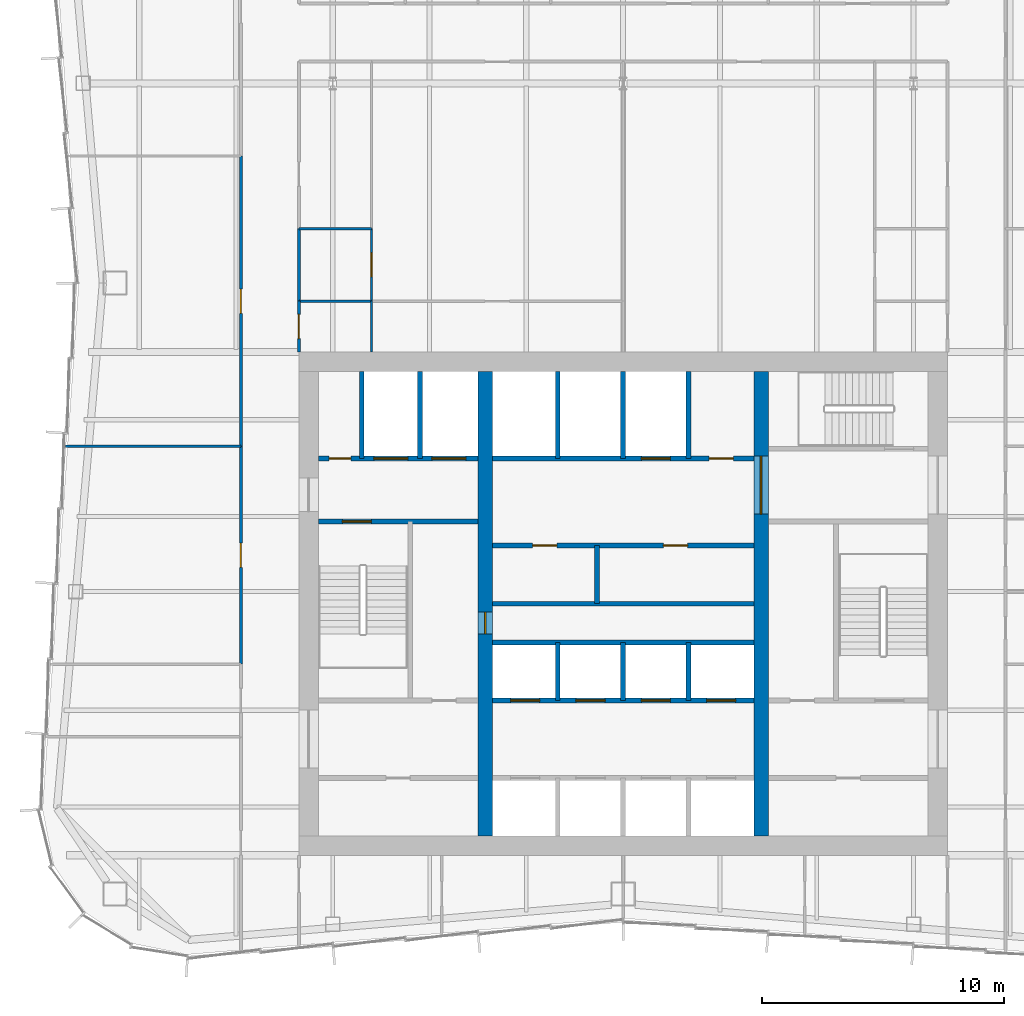
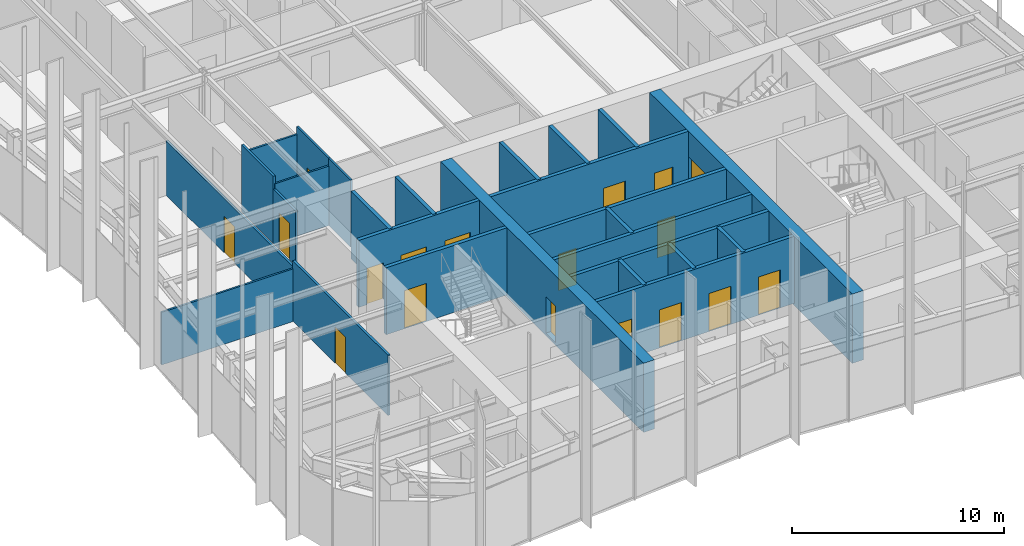
# One storey, part 11 of 15: 27 walls, 18 doors, 18 openings.
"""IFC4 building model written with IfcOpenShell, lengths in metres."""

from ifc_helpers import new_model, si_unit, direction, frame, frame_2d, origin, place, context, subcontext, project, spatial, rectangle, extrude, material, layer, layer_set, type_object, element, fill, save


model = new_model("IFC4")

# Units and contexts
model_context = context("Model", 3, precision=1e-05, world=origin(), true_north=direction((0.0, 1.0)))
body_context = subcontext(model_context, "Body", "Model", "MODEL_VIEW")
ifc_project = project(units=[si_unit("LENGTHUNIT", "METRE"), si_unit("AREAUNIT", "SQUARE_METRE"), si_unit("VOLUMEUNIT", "CUBIC_METRE"), si_unit("PLANEANGLEUNIT", "RADIAN"), si_unit("MASSUNIT", "GRAM", prefix="KILO")], contexts=[model_context])

# Site, building, storey
site_placement = place(None, origin())
site = spatial("IfcSite", under=ifc_project, at=site_placement, CompositionType="ELEMENT")
building_placement = place(site_placement, origin())
building = spatial("IfcBuilding", under=site, at=building_placement, Name="Verdant Reach Tower", CompositionType="ELEMENT")
storey_placement = place(building_placement, frame((0.0, 0.0, 238.0)))
storey = spatial("IfcBuildingStorey", under=building, at=storey_placement, Name="L54", CompositionType="ELEMENT", Elevation=238.0)

# Wall
ifc_material_1 = material(Name="Gypsum board on steel studs", Category="steel")
ifc_layer_1 = layer(ifc_material_1, 0.199951171875)
ifc_layer_set_1 = layer_set([ifc_layer_1], Name="CO-WALL-ROOM")
wall_type_1 = type_object("IfcWallType", Name="CO-WALL-ROOM", PredefinedType="PARTITIONING", material=ifc_layer_set_1)
wall_1_placement = place(storey_placement, frame((-5.39990234375, 28.0, 0.0), z_axis=(0.0, 0.0, 1.0), x_axis=(1.0, 0.0, 0.0)))
element("IfcWall", 1, at=wall_1_placement, inside=storey, type_object=wall_type_1, Name="Core partition, L54", PredefinedType="PARTITIONING", context=body_context, shape_type="SweptSolid", body=[
    extrude(rectangle(XDim=10.7998046875, YDim=0.199951171875, at=frame_2d((5.39990234375, 0.0))), origin(), (0.0, 0.0, 1.0), 3.8701171875),
])

# Wall, openings, doors
wall_2_placement = place(storey_placement, frame((-5.39990234375, 30.39990234375, 0.0), z_axis=(0.0, 0.0, 1.0), x_axis=(1.0, 0.0, 0.0)))
wall_2 = element("IfcWall", 2, at=wall_2_placement, inside=storey, type_object=wall_type_1, Name="Core partition, L54", PredefinedType="PARTITIONING", context=body_context, shape_type="SweptSolid", body=[
    extrude(rectangle(XDim=10.7998046875, YDim=0.199951171875, at=frame_2d((5.39990234375, 0.0))), origin(), (0.0, 0.0, 1.0), 3.8701171875),
])
opening_1_placement = place(wall_2_placement, frame((1.659912109375, 0.0, 0.0)))
opening_1 = element("IfcOpeningElement", 3, at=opening_1_placement, cuts=wall_2, Name="Opening CD", PredefinedType="OPENING", context=body_context, shape_type="SweptSolid", body=[
    extrude(rectangle(XDim=1.0, YDim=2.10009765625, at=frame_2d((0.5, 1.050048828125))), frame((0.0, 0.10986328125, 0.0), z_axis=(0.0, -1.0, 0.0), x_axis=(1.0, 0.0, 0.0)), (0.0, 0.0, 1.0), 0.219970703125),
])
opening_2_placement = place(wall_2_placement, frame((7.06005859375, 0.0, 0.0)))
opening_2 = element("IfcOpeningElement", 4, at=opening_2_placement, cuts=wall_2, Name="Opening CD", PredefinedType="OPENING", context=body_context, shape_type="SweptSolid", body=[
    extrude(rectangle(XDim=1.0, YDim=2.10009765625, at=frame_2d((0.5, 1.050048828125))), frame((0.0, 0.10986328125, 0.0), z_axis=(0.0, -1.0, 0.0), x_axis=(1.0, 0.0, 0.0)), (0.0, 0.0, 1.0), 0.219970703125),
])
ifc_material_2 = material(Name="Timber", Category="wood")
door_type_1 = type_object("IfcDoorType", Name="CO-DOOR-ROOM", OperationType="NOTDEFINED", PredefinedType="DOOR", material=ifc_material_2)
door_1_placement = place(opening_1_placement, origin())
door_1 = element("IfcDoor", 5, at=door_1_placement, inside=storey, type_object=door_type_1, Name="Core room door, L54", OperationType="SINGLE_SWING_RIGHT", OverallHeight=2.10009765625, OverallWidth=1.0, PredefinedType="DOOR", context=body_context, shape_type="SweptSolid", body=[
    extrude(rectangle(XDim=1.0, YDim=2.10009765625, at=frame_2d((0.5, 1.050048828125))), frame((0.0, 0.02490234375, 0.0), z_axis=(0.0, -1.0, 0.0), x_axis=(1.0, 0.0, 0.0)), (0.0, 0.0, 1.0), 0.050048828125),
])
fill(opening_1, door_1)
door_2_placement = place(opening_2_placement, origin())
door_2 = element("IfcDoor", 6, at=door_2_placement, inside=storey, type_object=door_type_1, Name="Core room door, L54", OperationType="SINGLE_SWING_LEFT", OverallHeight=2.10009765625, OverallWidth=1.0, PredefinedType="DOOR", context=body_context, shape_type="SweptSolid", body=[
    extrude(rectangle(XDim=1.0, YDim=2.10009765625, at=frame_2d((0.5, 1.050048828125))), frame((0.0, 0.02490234375, 0.0), z_axis=(0.0, -1.0, 0.0), x_axis=(1.0, 0.0, 0.0)), (0.0, 0.0, 1.0), 0.050048828125),
])
fill(opening_2, door_2)

# Wall
wall_3_placement = place(storey_placement, frame((-1.080078125, 28.0, 0.0), z_axis=(0.0, 0.0, 1.0), x_axis=(0.0, 1.0, 0.0)))
element("IfcWall", 7, at=wall_3_placement, inside=storey, type_object=wall_type_1, Name="Core partition, L54", PredefinedType="PARTITIONING", context=body_context, shape_type="SweptSolid", body=[
    extrude(rectangle(XDim=2.39990234375, YDim=0.199951171875, at=frame_2d((1.199951171875, 0.0))), origin(), (0.0, 0.0, 1.0), 3.8701171875),
])

# Wall, openings, doors
ifc_material_3 = material(Name="Concrete C40/50", Category="concrete")
ifc_layer_2 = layer(ifc_material_3, 0.199951171875)
ifc_layer_set_2 = layer_set([ifc_layer_2], Name="CO-WALL-SHAFT")
wall_type_2 = type_object("IfcWallType", Name="CO-WALL-SHAFT", PredefinedType="PARTITIONING", material=ifc_layer_set_2)
wall_4_placement = place(storey_placement, frame((-5.39990234375, 24.0, 0.0), z_axis=(0.0, 0.0, 1.0), x_axis=(1.0, 0.0, 0.0)))
wall_4 = element("IfcWall", 8, at=wall_4_placement, inside=storey, type_object=wall_type_2, Name="Lift shaft wall, L54", PredefinedType="PARTITIONING", context=body_context, shape_type="SweptSolid", body=[
    extrude(rectangle(XDim=10.7998046875, YDim=0.199951171875, at=frame_2d((5.39990234375, 0.0))), origin(), (0.0, 0.0, 1.0), 3.8701171875),
])
opening_3_placement = place(wall_4_placement, frame((0.75, 0.0, 0.0)))
opening_3 = element("IfcOpeningElement", 9, at=opening_3_placement, cuts=wall_4, Name="Opening LD-A5", PredefinedType="OPENING", context=body_context, shape_type="SweptSolid", body=[
    extrude(rectangle(XDim=1.199951171875, YDim=2.199951171875, at=frame_2d((0.60009765625, 1.10009765625))), frame((0.0, 0.10986328125, 0.0), z_axis=(0.0, -1.0, 0.0), x_axis=(1.0, 0.0, 0.0)), (0.0, 0.0, 1.0), 0.219970703125),
])
opening_4_placement = place(wall_4_placement, frame((3.449951171875, 0.0, 0.0)))
opening_4 = element("IfcOpeningElement", 10, at=opening_4_placement, cuts=wall_4, Name="Opening LD-A6", PredefinedType="OPENING", context=body_context, shape_type="SweptSolid", body=[
    extrude(rectangle(XDim=1.199951171875, YDim=2.199951171875, at=frame_2d((0.60009765625, 1.10009765625))), frame((0.0, 0.10986328125, 0.0), z_axis=(0.0, -1.0, 0.0), x_axis=(1.0, 0.0, 0.0)), (0.0, 0.0, 1.0), 0.219970703125),
])
opening_5_placement = place(wall_4_placement, frame((6.14990234375, 0.0, 0.0)))
opening_5 = element("IfcOpeningElement", 11, at=opening_5_placement, cuts=wall_4, Name="Opening LD-A7", PredefinedType="OPENING", context=body_context, shape_type="SweptSolid", body=[
    extrude(rectangle(XDim=1.199951171875, YDim=2.199951171875, at=frame_2d((0.60009765625, 1.10009765625))), frame((0.0, 0.10986328125, 0.0), z_axis=(0.0, -1.0, 0.0), x_axis=(1.0, 0.0, 0.0)), (0.0, 0.0, 1.0), 0.219970703125),
])
opening_6_placement = place(wall_4_placement, frame((8.85009765625, 0.0, 0.0)))
opening_6 = element("IfcOpeningElement", 12, at=opening_6_placement, cuts=wall_4, Name="Opening LD-A8", PredefinedType="OPENING", context=body_context, shape_type="SweptSolid", body=[
    extrude(rectangle(XDim=1.199951171875, YDim=2.199951171875, at=frame_2d((0.60009765625, 1.10009765625))), frame((0.0, 0.10986328125, 0.0), z_axis=(0.0, -1.0, 0.0), x_axis=(1.0, 0.0, 0.0)), (0.0, 0.0, 1.0), 0.219970703125),
])
ifc_material_4 = material(Name="Stainless steel", Category="steel")
door_type_2 = type_object("IfcDoorType", Name="CO-DOOR-LANDING", OperationType="SLIDING_TO_LEFT", PredefinedType="DOOR", material=ifc_material_4)
door_3_placement = place(opening_3_placement, origin())
door_3 = element("IfcDoor", 13, at=door_3_placement, inside=storey, type_object=door_type_2, Name="Landing door A5, L54", OperationType="SLIDING_TO_LEFT", OverallHeight=2.199951171875, OverallWidth=1.199951171875, PredefinedType="DOOR", context=body_context, shape_type="SweptSolid", body=[
    extrude(rectangle(XDim=1.199951171875, YDim=2.199951171875, at=frame_2d((0.60009765625, 1.10009765625))), frame((0.0, 0.02490234375, 0.0), z_axis=(0.0, -1.0, 0.0), x_axis=(1.0, 0.0, 0.0)), (0.0, 0.0, 1.0), 0.050048828125),
])
fill(opening_3, door_3)
door_4_placement = place(opening_4_placement, origin())
door_4 = element("IfcDoor", 14, at=door_4_placement, inside=storey, type_object=door_type_2, Name="Landing door A6, L54", OperationType="SLIDING_TO_LEFT", OverallHeight=2.199951171875, OverallWidth=1.199951171875, PredefinedType="DOOR", context=body_context, shape_type="SweptSolid", body=[
    extrude(rectangle(XDim=1.199951171875, YDim=2.199951171875, at=frame_2d((0.60009765625, 1.10009765625))), frame((0.0, 0.02490234375, 0.0), z_axis=(0.0, -1.0, 0.0), x_axis=(1.0, 0.0, 0.0)), (0.0, 0.0, 1.0), 0.050048828125),
])
fill(opening_4, door_4)
door_5_placement = place(opening_5_placement, origin())
door_5 = element("IfcDoor", 15, at=door_5_placement, inside=storey, type_object=door_type_2, Name="Landing door A7, L54", OperationType="SLIDING_TO_LEFT", OverallHeight=2.199951171875, OverallWidth=1.199951171875, PredefinedType="DOOR", context=body_context, shape_type="SweptSolid", body=[
    extrude(rectangle(XDim=1.199951171875, YDim=2.199951171875, at=frame_2d((0.60009765625, 1.10009765625))), frame((0.0, 0.02490234375, 0.0), z_axis=(0.0, -1.0, 0.0), x_axis=(1.0, 0.0, 0.0)), (0.0, 0.0, 1.0), 0.050048828125),
])
fill(opening_5, door_5)
door_6_placement = place(opening_6_placement, origin())
door_6 = element("IfcDoor", 16, at=door_6_placement, inside=storey, type_object=door_type_2, Name="Landing door A8, L54", OperationType="SLIDING_TO_LEFT", OverallHeight=2.199951171875, OverallWidth=1.199951171875, PredefinedType="DOOR", context=body_context, shape_type="SweptSolid", body=[
    extrude(rectangle(XDim=1.199951171875, YDim=2.199951171875, at=frame_2d((0.60009765625, 1.10009765625))), frame((0.0, 0.02490234375, 0.0), z_axis=(0.0, -1.0, 0.0), x_axis=(1.0, 0.0, 0.0)), (0.0, 0.0, 1.0), 0.050048828125),
])
fill(opening_6, door_6)

# Wall
wall_5_placement = place(storey_placement, frame((-5.39990234375, 26.39990234375, 0.0), z_axis=(0.0, 0.0, 1.0), x_axis=(1.0, 0.0, 0.0)))
element("IfcWall", 17, at=wall_5_placement, inside=storey, type_object=wall_type_2, Name="Lift shaft wall, L54", PredefinedType="PARTITIONING", context=body_context, shape_type="SweptSolid", body=[
    extrude(rectangle(XDim=10.7998046875, YDim=0.199951171875, at=frame_2d((5.39990234375, 0.0))), origin(), (0.0, 0.0, 1.0), 3.8701171875),
])

# Wall, openings, doors
wall_6_placement = place(storey_placement, frame((-12.60009765625, 34.0, 0.0), z_axis=(0.0, 0.0, 1.0), x_axis=(1.0, 0.0, 0.0)))
wall_6 = element("IfcWall", 18, at=wall_6_placement, inside=storey, type_object=wall_type_2, Name="Lift shaft wall, L54", PredefinedType="PARTITIONING", context=body_context, shape_type="SweptSolid", body=[
    extrude(rectangle(XDim=6.60009765625, YDim=0.199951171875, at=frame_2d((3.300048828125, 0.0))), origin(), (0.0, 0.0, 1.0), 3.8701171875),
])
opening_7_placement = place(wall_6_placement, frame((4.699951171875, 0.0, 0.0)))
opening_7 = element("IfcOpeningElement", 19, at=opening_7_placement, cuts=wall_6, Name="Opening LD-F1", PredefinedType="OPENING", context=body_context, shape_type="SweptSolid", body=[
    extrude(rectangle(XDim=1.39990234375, YDim=2.199951171875, at=frame_2d((0.699951171875, 1.10009765625))), frame((0.0, 0.10986328125, 0.0), z_axis=(0.0, -1.0, 0.0), x_axis=(1.0, 0.0, 0.0)), (0.0, 0.0, 1.0), 0.219970703125),
])
opening_8_placement = place(wall_6_placement, frame((2.300048828125, 0.0, 0.0)))
opening_8 = element("IfcOpeningElement", 20, at=opening_8_placement, cuts=wall_6, Name="Opening LD-F2", PredefinedType="OPENING", context=body_context, shape_type="SweptSolid", body=[
    extrude(rectangle(XDim=1.39990234375, YDim=2.199951171875, at=frame_2d((0.699951171875, 1.10009765625))), frame((0.0, 0.10986328125, 0.0), z_axis=(0.0, -1.0, 0.0), x_axis=(1.0, 0.0, 0.0)), (0.0, 0.0, 1.0), 0.219970703125),
])
opening_9_placement = place(wall_6_placement, frame((0.449951171875, 0.0, 0.0)))
opening_9 = element("IfcOpeningElement", 21, at=opening_9_placement, cuts=wall_6, Name="Opening RD", PredefinedType="OPENING", context=body_context, shape_type="SweptSolid", body=[
    extrude(rectangle(XDim=0.89990234375, YDim=2.10009765625, at=frame_2d((0.449951171875, 1.050048828125))), frame((0.0, 0.10986328125, 0.0), z_axis=(0.0, -1.0, 0.0), x_axis=(1.0, 0.0, 0.0)), (0.0, 0.0, 1.0), 0.219970703125),
])
door_type_3 = type_object("IfcDoorType", Name="CO-DOOR-LANDING-FF", OperationType="SLIDING_TO_LEFT", PredefinedType="DOOR", material=ifc_material_4)
door_7_placement = place(opening_7_placement, origin())
door_7 = element("IfcDoor", 22, at=door_7_placement, inside=storey, type_object=door_type_3, Name="Landing door F1, L54", OperationType="SLIDING_TO_LEFT", OverallHeight=2.199951171875, OverallWidth=1.39990234375, PredefinedType="DOOR", context=body_context, shape_type="SweptSolid", body=[
    extrude(rectangle(XDim=1.39990234375, YDim=2.199951171875, at=frame_2d((0.699951171875, 1.10009765625))), frame((0.0, 0.02490234375, 0.0), z_axis=(0.0, -1.0, 0.0), x_axis=(1.0, 0.0, 0.0)), (0.0, 0.0, 1.0), 0.050048828125),
])
fill(opening_7, door_7)
door_8_placement = place(opening_8_placement, origin())
door_8 = element("IfcDoor", 23, at=door_8_placement, inside=storey, type_object=door_type_3, Name="Landing door F2, L54", OperationType="SLIDING_TO_LEFT", OverallHeight=2.199951171875, OverallWidth=1.39990234375, PredefinedType="DOOR", context=body_context, shape_type="SweptSolid", body=[
    extrude(rectangle(XDim=1.39990234375, YDim=2.199951171875, at=frame_2d((0.699951171875, 1.10009765625))), frame((0.0, 0.02490234375, 0.0), z_axis=(0.0, -1.0, 0.0), x_axis=(1.0, 0.0, 0.0)), (0.0, 0.0, 1.0), 0.050048828125),
])
fill(opening_8, door_8)
ifc_material_5 = material(Name="Steel", Category="steel")
door_type_4 = type_object("IfcDoorType", Name="CO-DOOR-RISER", OperationType="NOTDEFINED", PredefinedType="DOOR", material=ifc_material_5)
door_9_placement = place(opening_9_placement, origin())
door_9 = element("IfcDoor", 24, at=door_9_placement, inside=storey, type_object=door_type_4, Name="Core room door, L54", OperationType="SINGLE_SWING_RIGHT", OverallHeight=2.10009765625, OverallWidth=0.89990234375, PredefinedType="DOOR", context=body_context, shape_type="SweptSolid", body=[
    extrude(rectangle(XDim=0.89990234375, YDim=2.10009765625, at=frame_2d((0.449951171875, 1.050048828125))), frame((0.0, 0.02490234375, 0.0), z_axis=(0.0, -1.0, 0.0), x_axis=(1.0, 0.0, 0.0)), (0.0, 0.0, 1.0), 0.050048828125),
])
fill(opening_9, door_9)

wall_7_placement = place(storey_placement, frame((-5.39990234375, 34.0, 0.0), z_axis=(0.0, 0.0, 1.0), x_axis=(1.0, 0.0, 0.0)))
wall_7 = element("IfcWall", 25, at=wall_7_placement, inside=storey, type_object=wall_type_2, Name="Lift shaft wall, L54", PredefinedType="PARTITIONING", context=body_context, shape_type="SweptSolid", body=[
    extrude(rectangle(XDim=10.7998046875, YDim=0.199951171875, at=frame_2d((5.39990234375, 0.0))), origin(), (0.0, 0.0, 1.0), 3.8701171875),
])
opening_10_placement = place(wall_7_placement, frame((6.14990234375, 0.0, 0.0)))
opening_10 = element("IfcOpeningElement", 26, at=opening_10_placement, cuts=wall_7, Name="Opening LD-SL1", PredefinedType="OPENING", context=body_context, shape_type="SweptSolid", body=[
    extrude(rectangle(XDim=1.199951171875, YDim=2.199951171875, at=frame_2d((0.60009765625, 1.10009765625))), frame((0.0, 0.10986328125, 0.0), z_axis=(0.0, -1.0, 0.0), x_axis=(1.0, 0.0, 0.0)), (0.0, 0.0, 1.0), 0.219970703125),
])
opening_11_placement = place(wall_7_placement, frame((8.949951171875, 0.0, 0.0)))
opening_11 = element("IfcOpeningElement", 27, at=opening_11_placement, cuts=wall_7, Name="Opening CD", PredefinedType="OPENING", context=body_context, shape_type="SweptSolid", body=[
    extrude(rectangle(XDim=1.0, YDim=2.10009765625, at=frame_2d((0.5, 1.050048828125))), frame((0.0, 0.10986328125, 0.0), z_axis=(0.0, -1.0, 0.0), x_axis=(1.0, 0.0, 0.0)), (0.0, 0.0, 1.0), 0.219970703125),
])
door_10_placement = place(opening_10_placement, origin())
door_10 = element("IfcDoor", 28, at=door_10_placement, inside=storey, type_object=door_type_2, Name="Landing door SL1, L54", OperationType="SLIDING_TO_LEFT", OverallHeight=2.199951171875, OverallWidth=1.199951171875, PredefinedType="DOOR", context=body_context, shape_type="SweptSolid", body=[
    extrude(rectangle(XDim=1.199951171875, YDim=2.199951171875, at=frame_2d((0.60009765625, 1.10009765625))), frame((0.0, 0.02490234375, 0.0), z_axis=(0.0, -1.0, 0.0), x_axis=(1.0, 0.0, 0.0)), (0.0, 0.0, 1.0), 0.050048828125),
])
fill(opening_10, door_10)
door_11_placement = place(opening_11_placement, origin())
door_11 = element("IfcDoor", 29, at=door_11_placement, inside=storey, type_object=door_type_1, Name="Core room door, L54", OperationType="SINGLE_SWING_LEFT", OverallHeight=2.10009765625, OverallWidth=1.0, PredefinedType="DOOR", context=body_context, shape_type="SweptSolid", body=[
    extrude(rectangle(XDim=1.0, YDim=2.10009765625, at=frame_2d((0.5, 1.050048828125))), frame((0.0, 0.02490234375, 0.0), z_axis=(0.0, -1.0, 0.0), x_axis=(1.0, 0.0, 0.0)), (0.0, 0.0, 1.0), 0.050048828125),
])
fill(opening_11, door_11)

# Walls
for number, where, z_axis, x_axis, name in (
    (30, (-10.800048828125, 34.0, 0.0), (0.0, 0.0, 1.0), (0.0, 1.0, 0.0), "Lift shaft wall, L54"),
    (31, (-8.39990234375, 34.0, 0.0), (0.0, 0.0, 1.0), (0.0, 1.0, 0.0), "Lift shaft wall, L54"),
):
    element("IfcWall", number, at=place(storey_placement, frame(where, z_axis=z_axis, x_axis=x_axis)), inside=storey, type_object=wall_type_2, Name=name, PredefinedType="PARTITIONING", context=body_context, shape_type="SweptSolid", body=[
        extrude(rectangle(XDim=3.60009765625, YDim=0.199951171875, at=frame_2d((1.800048828125, 0.0))), origin(), (0.0, 0.0, 1.0), 3.8701171875),
    ])
wall_8_placement = place(storey_placement, frame((-2.699951171875, 24.0, 0.0), z_axis=(0.0, 0.0, 1.0), x_axis=(0.0, 1.0, 0.0)))
element("IfcWall", 32, at=wall_8_placement, inside=storey, type_object=wall_type_2, Name="Lift shaft wall, L54", PredefinedType="PARTITIONING", context=body_context, shape_type="SweptSolid", body=[
    extrude(rectangle(XDim=2.39990234375, YDim=0.199951171875, at=frame_2d((1.199951171875, 0.0))), origin(), (0.0, 0.0, 1.0), 3.8701171875),
])
wall_9_placement = place(storey_placement, frame((-2.699951171875, 34.0, 0.0), z_axis=(0.0, 0.0, 1.0), x_axis=(0.0, 1.0, 0.0)))
element("IfcWall", 33, at=wall_9_placement, inside=storey, type_object=wall_type_2, Name="Lift shaft wall, L54", PredefinedType="PARTITIONING", context=body_context, shape_type="SweptSolid", body=[
    extrude(rectangle(XDim=3.60009765625, YDim=0.199951171875, at=frame_2d((1.800048828125, 0.0))), origin(), (0.0, 0.0, 1.0), 3.8701171875),
])
wall_10_placement = place(storey_placement, frame((0.0, 24.0, 0.0), z_axis=(0.0, 0.0, 1.0), x_axis=(0.0, 1.0, 0.0)))
element("IfcWall", 34, at=wall_10_placement, inside=storey, type_object=wall_type_2, Name="Lift shaft wall, L54", PredefinedType="PARTITIONING", context=body_context, shape_type="SweptSolid", body=[
    extrude(rectangle(XDim=2.39990234375, YDim=0.199951171875, at=frame_2d((1.199951171875, 0.0))), origin(), (0.0, 0.0, 1.0), 3.8701171875),
])
wall_11_placement = place(storey_placement, frame((0.0, 34.0, 0.0), z_axis=(0.0, 0.0, 1.0), x_axis=(0.0, 1.0, 0.0)))
element("IfcWall", 35, at=wall_11_placement, inside=storey, type_object=wall_type_2, Name="Lift shaft wall, L54", PredefinedType="PARTITIONING", context=body_context, shape_type="SweptSolid", body=[
    extrude(rectangle(XDim=3.60009765625, YDim=0.199951171875, at=frame_2d((1.800048828125, 0.0))), origin(), (0.0, 0.0, 1.0), 3.8701171875),
])
wall_12_placement = place(storey_placement, frame((2.699951171875, 24.0, 0.0), z_axis=(0.0, 0.0, 1.0), x_axis=(0.0, 1.0, 0.0)))
element("IfcWall", 36, at=wall_12_placement, inside=storey, type_object=wall_type_2, Name="Lift shaft wall, L54", PredefinedType="PARTITIONING", context=body_context, shape_type="SweptSolid", body=[
    extrude(rectangle(XDim=2.39990234375, YDim=0.199951171875, at=frame_2d((1.199951171875, 0.0))), origin(), (0.0, 0.0, 1.0), 3.8701171875),
])
wall_13_placement = place(storey_placement, frame((2.699951171875, 34.0, 0.0), z_axis=(0.0, 0.0, 1.0), x_axis=(0.0, 1.0, 0.0)))
element("IfcWall", 37, at=wall_13_placement, inside=storey, type_object=wall_type_2, Name="Lift shaft wall, L54", PredefinedType="PARTITIONING", context=body_context, shape_type="SweptSolid", body=[
    extrude(rectangle(XDim=3.60009765625, YDim=0.199951171875, at=frame_2d((1.800048828125, 0.0))), origin(), (0.0, 0.0, 1.0), 3.8701171875),
])

# Wall, opening, door
ifc_layer_3 = layer(ifc_material_3, 0.199951171875)
ifc_layer_set_3 = layer_set([ifc_layer_3], Name="CO-WALL-STAIR")
wall_type_3 = type_object("IfcWallType", Name="CO-WALL-STAIR", PredefinedType="PARTITIONING", material=ifc_layer_set_3)
wall_14_placement = place(storey_placement, frame((-12.60009765625, 31.39990234375, 0.0), z_axis=(0.0, 0.0, 1.0), x_axis=(1.0, 0.0, 0.0)))
wall_14 = element("IfcWall", 38, at=wall_14_placement, inside=storey, type_object=wall_type_3, Name="Stair enclosure wall, L54", PredefinedType="PARTITIONING", context=body_context, shape_type="SweptSolid", body=[
    extrude(rectangle(XDim=6.60009765625, YDim=0.199951171875, at=frame_2d((3.300048828125, 0.0))), origin(), (0.0, 0.0, 1.0), 3.8701171875),
])
opening_12_placement = place(wall_14_placement, frame((1.0, 0.0, 0.0)))
opening_12 = element("IfcOpeningElement", 39, at=opening_12_placement, cuts=wall_14, Name="Opening SD", PredefinedType="OPENING", context=body_context, shape_type="SweptSolid", body=[
    extrude(rectangle(XDim=1.199951171875, YDim=2.199951171875, at=frame_2d((0.60009765625, 1.10009765625))), frame((0.0, 0.10986328125, 0.0), z_axis=(0.0, -1.0, 0.0), x_axis=(1.0, 0.0, 0.0)), (0.0, 0.0, 1.0), 0.219970703125),
])
door_type_5 = type_object("IfcDoorType", Name="CO-DOOR-STAIR", OperationType="NOTDEFINED", PredefinedType="DOOR", material=ifc_material_5)
door_12_placement = place(opening_12_placement, origin())
door_12 = element("IfcDoor", 40, at=door_12_placement, inside=storey, type_object=door_type_5, Name="Stair door, L54", OperationType="SINGLE_SWING_RIGHT", OverallHeight=2.199951171875, OverallWidth=1.199951171875, PredefinedType="DOOR", context=body_context, shape_type="SweptSolid", body=[
    extrude(rectangle(XDim=1.199951171875, YDim=2.199951171875, at=frame_2d((0.60009765625, 1.10009765625))), frame((0.0, 0.02490234375, 0.0), z_axis=(0.0, -1.0, 0.0), x_axis=(1.0, 0.0, 0.0)), (0.0, 0.0, 1.0), 0.050048828125),
])
fill(opening_12, door_12)

# Walls
ifc_layer_4 = layer(ifc_material_1, 0.10009765625)
ifc_layer_set_4 = layer_set([ifc_layer_4], Name="FL-W1 Partition 100")
wall_type_4 = type_object("IfcWallType", Name="FL-W1 Partition 100", PredefinedType="PARTITIONING", material=ifc_layer_set_4)
wall_15_placement = place(storey_placement, frame((-15.800048828125, 34.5, 0.0), z_axis=(0.0, 0.0, 1.0), x_axis=(-1.0, 0.0, 0.0)))
element("IfcWall", 41, at=wall_15_placement, inside=storey, type_object=wall_type_4, Name="Partition 54.40", PredefinedType="PARTITIONING", context=body_context, shape_type="SweptSolid", body=[
    extrude(rectangle(XDim=7.245361328125, YDim=0.10009765625, at=frame_2d((3.62255859375, 0.0))), origin(), (0.0, 0.0, 1.0), 3.0400390625),
])
wall_16_placement = place(storey_placement, frame((-10.39990234375, 40.5, 0.0), z_axis=(0.0, 0.0, 1.0), x_axis=(-1.0, 0.0, 0.0)))
element("IfcWall", 42, at=wall_16_placement, inside=storey, type_object=wall_type_4, Name="Partition 54.53", PredefinedType="PARTITIONING", context=body_context, shape_type="SweptSolid", body=[
    extrude(rectangle(XDim=3.0, YDim=0.10009765625, at=frame_2d((1.5, 0.0))), origin(), (0.0, 0.0, 1.0), 3.43994140625),
])
wall_17_placement = place(storey_placement, frame((-10.39990234375, 38.39990234375, 0.0), z_axis=(0.0, 0.0, 1.0), x_axis=(0.0, 1.0, 0.0)))
element("IfcWall", 43, at=wall_17_placement, inside=storey, type_object=wall_type_4, Name="Partition 54.54", PredefinedType="PARTITIONING", context=body_context, shape_type="SweptSolid", body=[
    extrude(rectangle(XDim=2.10009765625, YDim=0.10009765625, at=frame_2d((1.050048828125, 0.0))), origin(), (0.0, 0.0, 1.0), 3.8701171875),
])
wall_18_placement = place(storey_placement, frame((-10.39990234375, 43.5, 0.0), z_axis=(0.0, 0.0, 1.0), x_axis=(-1.0, 0.0, 0.0)))
element("IfcWall", 44, at=wall_18_placement, inside=storey, type_object=wall_type_4, Name="Partition 54.55", PredefinedType="PARTITIONING", context=body_context, shape_type="SweptSolid", body=[
    extrude(rectangle(XDim=3.0, YDim=0.10009765625, at=frame_2d((1.5, 0.0))), origin(), (0.0, 0.0, 1.0), 3.43994140625),
])

# Wall, opening, door
wall_19_placement = place(storey_placement, frame((-10.39990234375, 40.5, 0.0), z_axis=(0.0, 0.0, 1.0), x_axis=(0.0, 1.0, 0.0)))
wall_19 = element("IfcWall", 45, at=wall_19_placement, inside=storey, type_object=wall_type_4, Name="Partition 54.56", PredefinedType="PARTITIONING", context=body_context, shape_type="SweptSolid", body=[
    extrude(rectangle(XDim=3.00390625, YDim=0.10009765625, at=frame_2d((1.501953125, 0.0))), origin(), (0.0, 0.0, 1.0), 3.8701171875),
])
opening_13_placement = place(wall_19_placement, frame((1.001953125, 0.0, 0.0)))
opening_13 = element("IfcOpeningElement", 46, at=opening_13_placement, cuts=wall_19, Name="Opening D3", PredefinedType="OPENING", context=body_context, shape_type="SweptSolid", body=[
    extrude(rectangle(XDim=1.0, YDim=2.10009765625, at=frame_2d((0.5, 1.050048828125))), frame((0.0, 0.06005859375, 0.0), z_axis=(0.0, -1.0, 0.0), x_axis=(1.0, 0.0, 0.0)), (0.0, 0.0, 1.0), 0.1201171875),
])
ifc_material_6 = material(Name="Painted timber door leaf", Category="wood")
door_type_6 = type_object("IfcDoorType", Name="FL-D3 Door 1000x2100", OperationType="NOTDEFINED", PredefinedType="DOOR", material=ifc_material_6)
door_13_placement = place(opening_13_placement, origin())
door_13 = element("IfcDoor", 47, at=door_13_placement, inside=storey, type_object=door_type_6, Name="Door 54-031", OperationType="SINGLE_SWING_LEFT", OverallHeight=2.10009765625, OverallWidth=1.0, PredefinedType="DOOR", context=body_context, shape_type="SweptSolid", body=[
    extrude(rectangle(XDim=1.0, YDim=2.10009765625, at=frame_2d((0.5, 1.050048828125))), frame((0.0, 0.02490234375, 0.0), z_axis=(0.0, -1.0, 0.0), x_axis=(1.0, 0.0, 0.0)), (0.0, 0.0, 1.0), 0.050048828125),
])
fill(opening_13, door_13)

ifc_material_7 = material(Name="Gypsum board on steel studs, fire rated", Category="steel")
ifc_layer_5 = layer(ifc_material_7, 0.125)
ifc_layer_set_5 = layer_set([ifc_layer_5], Name="FL-W2 Corridor wall 125")
wall_type_5 = type_object("IfcWallType", Name="FL-W2 Corridor wall 125", PredefinedType="PARTITIONING", material=ifc_layer_set_5)
wall_20_placement = place(storey_placement, frame((-15.800048828125, 25.5, 0.0), z_axis=(0.0, 0.0, 1.0), x_axis=(0.0, 1.0, 0.0)))
wall_20 = element("IfcWall", 48, at=wall_20_placement, inside=storey, type_object=wall_type_5, Name="Partition 54.03", PredefinedType="PARTITIONING", context=body_context, shape_type="SweptSolid", body=[
    extrude(rectangle(XDim=9.0, YDim=0.125, at=frame_2d((4.5, 0.0))), origin(), (0.0, 0.0, 1.0), 3.47998046875),
])
opening_14_placement = place(wall_20_placement, frame((4.0, 0.0, 0.0)))
opening_14 = element("IfcOpeningElement", 49, at=opening_14_placement, cuts=wall_20, Name="Opening D2", PredefinedType="OPENING", context=body_context, shape_type="SweptSolid", body=[
    extrude(rectangle(XDim=1.0, YDim=2.10009765625, at=frame_2d((0.5, 1.050048828125))), frame((0.0, 0.072509765625, 0.0), z_axis=(0.0, -1.0, 0.0), x_axis=(1.0, 0.0, 0.0)), (0.0, 0.0, 1.0), 0.14501953125),
])
ifc_material_8 = material(Name="Timber door leaf, fire rated", Category="wood")
door_type_7 = type_object("IfcDoorType", Name="FL-D2 Entrance door 1000x2100 FD30", OperationType="NOTDEFINED", PredefinedType="DOOR", material=ifc_material_8)
door_14_placement = place(opening_14_placement, origin())
door_14 = element("IfcDoor", 50, at=door_14_placement, inside=storey, type_object=door_type_7, Name="Door 54-003", OperationType="SINGLE_SWING_LEFT", OverallHeight=2.10009765625, OverallWidth=1.0, PredefinedType="DOOR", context=body_context, shape_type="SweptSolid", body=[
    extrude(rectangle(XDim=1.0, YDim=2.10009765625, at=frame_2d((0.5, 1.050048828125))), frame((0.0, 0.02490234375, 0.0), z_axis=(0.0, -1.0, 0.0), x_axis=(1.0, 0.0, 0.0)), (0.0, 0.0, 1.0), 0.050048828125),
])
fill(opening_14, door_14)

wall_21_placement = place(storey_placement, frame((-15.800048828125, 34.5, 0.0), z_axis=(0.0, 0.0, 1.0), x_axis=(0.0, 1.0, 0.0)))
wall_21 = element("IfcWall", 51, at=wall_21_placement, inside=storey, type_object=wall_type_5, Name="Partition 54.04", PredefinedType="PARTITIONING", context=body_context, shape_type="SweptSolid", body=[
    extrude(rectangle(XDim=12.0, YDim=0.125, at=frame_2d((6.0, 0.0))), origin(), (0.0, 0.0, 1.0), 3.139892578125),
])
opening_15_placement = place(wall_21_placement, frame((5.5, 0.0, 0.0)))
opening_15 = element("IfcOpeningElement", 52, at=opening_15_placement, cuts=wall_21, Name="Opening D2", PredefinedType="OPENING", context=body_context, shape_type="SweptSolid", body=[
    extrude(rectangle(XDim=1.0, YDim=2.10009765625, at=frame_2d((0.5, 1.050048828125))), frame((0.0, 0.072509765625, 0.0), z_axis=(0.0, -1.0, 0.0), x_axis=(1.0, 0.0, 0.0)), (0.0, 0.0, 1.0), 0.14501953125),
])
door_15_placement = place(opening_15_placement, origin())
door_15 = element("IfcDoor", 53, at=door_15_placement, inside=storey, type_object=door_type_7, Name="Door 54-004", OperationType="SINGLE_SWING_RIGHT", OverallHeight=2.10009765625, OverallWidth=1.0, PredefinedType="DOOR", context=body_context, shape_type="SweptSolid", body=[
    extrude(rectangle(XDim=1.0, YDim=2.10009765625, at=frame_2d((0.5, 1.050048828125))), frame((0.0, 0.02490234375, 0.0), z_axis=(0.0, -1.0, 0.0), x_axis=(1.0, 0.0, 0.0)), (0.0, 0.0, 1.0), 0.050048828125),
])
fill(opening_15, door_15)

wall_22_placement = place(storey_placement, frame((-13.39990234375, 40.5, 0.0), z_axis=(0.0, 0.0, 1.0), x_axis=(0.0, -1.0, 0.0)))
wall_22 = element("IfcWall", 54, at=wall_22_placement, inside=storey, type_object=wall_type_5, Name="Partition 54.17", PredefinedType="PARTITIONING", context=body_context, shape_type="SweptSolid", body=[
    extrude(rectangle(XDim=2.10009765625, YDim=0.125, at=frame_2d((1.050048828125, 0.0))), origin(), (0.0, 0.0, 1.0), 3.139892578125),
])
opening_16_placement = place(wall_22_placement, frame((0.550048828125, 0.0, 0.0)))
opening_16 = element("IfcOpeningElement", 55, at=opening_16_placement, cuts=wall_22, Name="Opening D2", PredefinedType="OPENING", context=body_context, shape_type="SweptSolid", body=[
    extrude(rectangle(XDim=1.0, YDim=2.10009765625, at=frame_2d((0.5, 1.050048828125))), frame((0.0, 0.072509765625, 0.0), z_axis=(0.0, -1.0, 0.0), x_axis=(1.0, 0.0, 0.0)), (0.0, 0.0, 1.0), 0.14501953125),
])
door_16_placement = place(opening_16_placement, origin())
door_16 = element("IfcDoor", 56, at=door_16_placement, inside=storey, type_object=door_type_7, Name="Door 54-017", OperationType="SINGLE_SWING_LEFT", OverallHeight=2.10009765625, OverallWidth=1.0, PredefinedType="DOOR", context=body_context, shape_type="SweptSolid", body=[
    extrude(rectangle(XDim=1.0, YDim=2.10009765625, at=frame_2d((0.5, 1.050048828125))), frame((0.0, 0.02490234375, 0.0), z_axis=(0.0, -1.0, 0.0), x_axis=(1.0, 0.0, 0.0)), (0.0, 0.0, 1.0), 0.050048828125),
])
fill(opening_16, door_16)

# Wall
wall_23_placement = place(storey_placement, frame((-13.39990234375, 40.5, 0.0), z_axis=(0.0, 0.0, 1.0), x_axis=(0.0, 1.0, 0.0)))
element("IfcWall", 57, at=wall_23_placement, inside=storey, type_object=wall_type_5, Name="Partition 54.18", PredefinedType="PARTITIONING", context=body_context, shape_type="SweptSolid", body=[
    extrude(rectangle(XDim=3.0, YDim=0.125, at=frame_2d((1.5, 0.0))), origin(), (0.0, 0.0, 1.0), 3.8701171875),
])

# Wall, opening, door
ifc_material_9 = material(Name="Concrete C70/85", Category="concrete")
ifc_layer_6 = layer(ifc_material_9, 0.60009765625)
ifc_layer_set_6 = layer_set([ifc_layer_6], Name="ST-CORE-WALL-600")
wall_type_6 = type_object("IfcWallType", Name="ST-CORE-WALL-600", PredefinedType="SHEAR", material=ifc_layer_set_6)
wall_24_placement = place(storey_placement, frame((-5.699951171875, 18.39990234375, -0.1298828125), z_axis=(0.0, 0.0, 1.0), x_axis=(0.0, 1.0, 0.0)))
wall_24 = element("IfcWall", 58, at=wall_24_placement, inside=storey, type_object=wall_type_6, Name="Core wall XW, L54", PredefinedType="SHEAR", context=body_context, shape_type="SweptSolid", body=[
    extrude(rectangle(XDim=19.2001953125, YDim=0.60009765625, at=frame_2d((9.60009765625, 0.0))), origin(), (0.0, 0.0, 1.0), 4.0),
])
opening_17_placement = place(wall_24_placement, frame((8.35009765625, 0.0, 0.1298828125)))
opening_17 = element("IfcOpeningElement", 59, at=opening_17_placement, cuts=wall_24, Name="Opening RD", PredefinedType="OPENING", context=body_context, shape_type="SweptSolid", body=[
    extrude(rectangle(XDim=0.89990234375, YDim=2.10009765625, at=frame_2d((0.449951171875, 1.050048828125))), frame((0.0, 0.31005859375, 0.0), z_axis=(0.0, -1.0, 0.0), x_axis=(1.0, 0.0, 0.0)), (0.0, 0.0, 1.0), 0.6201171875),
])
door_17_placement = place(opening_17_placement, origin())
door_17 = element("IfcDoor", 60, at=door_17_placement, inside=storey, type_object=door_type_4, Name="Riser door, L54", OperationType="SINGLE_SWING_RIGHT", OverallHeight=2.10009765625, OverallWidth=0.89990234375, PredefinedType="DOOR", context=body_context, shape_type="SweptSolid", body=[
    extrude(rectangle(XDim=0.89990234375, YDim=2.10009765625, at=frame_2d((0.449951171875, 1.050048828125))), frame((0.0, 0.02490234375, 0.0), z_axis=(0.0, -1.0, 0.0), x_axis=(1.0, 0.0, 0.0)), (0.0, 0.0, 1.0), 0.050048828125),
])
fill(opening_17, door_17)

wall_25_placement = place(storey_placement, frame((5.699951171875, 18.39990234375, -0.1298828125), z_axis=(0.0, 0.0, 1.0), x_axis=(0.0, 1.0, 0.0)))
wall_25 = element("IfcWall", 61, at=wall_25_placement, inside=storey, type_object=wall_type_6, Name="Core wall XE, L54", PredefinedType="SHEAR", context=body_context, shape_type="SweptSolid", body=[
    extrude(rectangle(XDim=19.2001953125, YDim=0.60009765625, at=frame_2d((9.60009765625, 0.0))), origin(), (0.0, 0.0, 1.0), 4.0),
])
opening_18_placement = place(wall_25_placement, frame((13.300048828125, 0.0, 0.1298828125)))
opening_18 = element("IfcOpeningElement", 62, at=opening_18_placement, cuts=wall_25, Name="Opening LB", PredefinedType="OPENING", context=body_context, shape_type="SweptSolid", body=[
    extrude(rectangle(XDim=2.39990234375, YDim=2.39990234375, at=frame_2d((1.199951171875, 1.199951171875))), frame((0.0, 0.31005859375, 0.0), z_axis=(0.0, -1.0, 0.0), x_axis=(1.0, 0.0, 0.0)), (0.0, 0.0, 1.0), 0.6201171875),
])
ifc_material_10 = material(Name="Glass and steel", Category="steel")
door_type_8 = type_object("IfcDoorType", Name="CO-DOOR-LOBBY", OperationType="DOUBLE_DOOR_SINGLE_SWING", PredefinedType="DOOR", material=ifc_material_10)
door_18_placement = place(opening_18_placement, origin())
door_18 = element("IfcDoor", 63, at=door_18_placement, inside=storey, type_object=door_type_8, Name="Core entrance door, L54", OperationType="DOUBLE_DOOR_SINGLE_SWING", OverallHeight=2.39990234375, OverallWidth=2.39990234375, PredefinedType="DOOR", context=body_context, shape_type="SweptSolid", body=[
    extrude(rectangle(XDim=2.39990234375, YDim=2.39990234375, at=frame_2d((1.199951171875, 1.199951171875))), frame((0.0, 0.02490234375, 0.0), z_axis=(0.0, -1.0, 0.0), x_axis=(1.0, 0.0, 0.0)), (0.0, 0.0, 1.0), 0.050048828125),
])
fill(opening_18, door_18)

save(model, "model.ifc")
